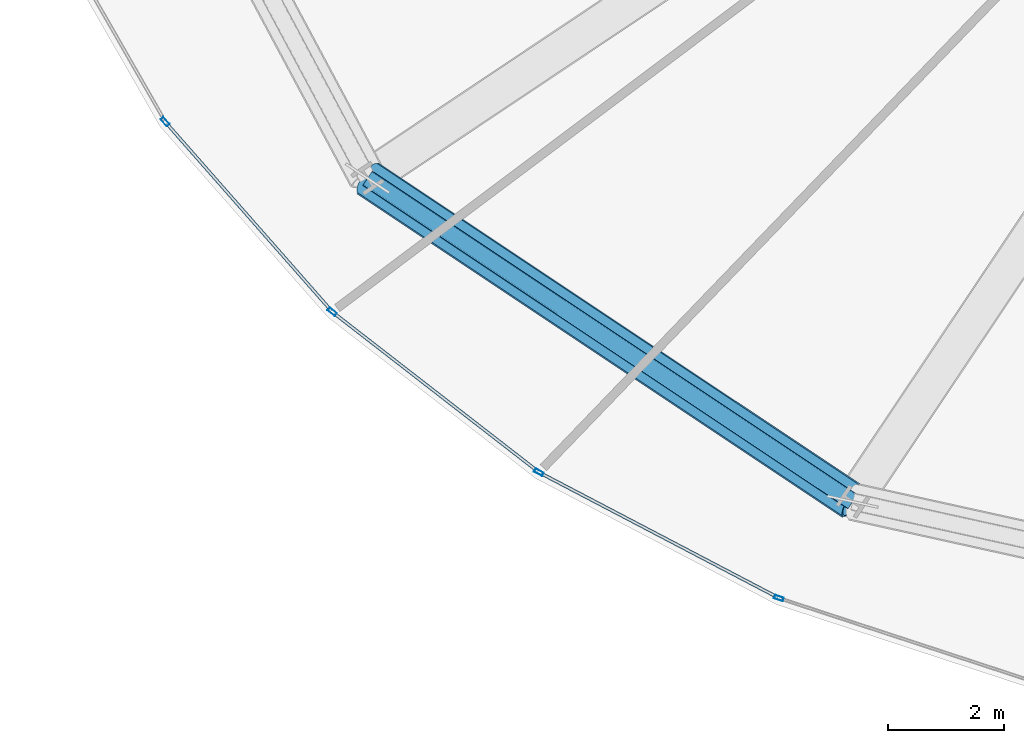
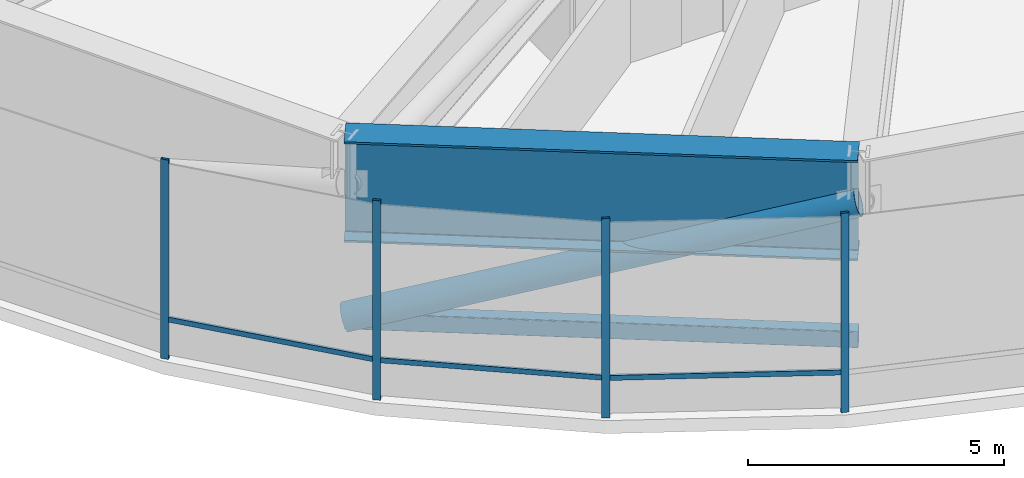
# One storey, part 2 of 33: 9 members, 1 beam, 1 element without a shape of its own.
"""IFC4 building model written with IfcOpenShell, lengths in metres."""

from ifc_helpers import new_model, si_unit, direction, frame, origin, origin_2d, place, context, subcontext, project, spatial, hollow_rectangle, hollow_circle, i_section, extrude, source, transform, mapped, material, layer, layer_set, material_profile, profile_set, type_object, element, aggregate, save


model = new_model("IFC4")

# Units and contexts
model_context = context("Model", 3, precision=1e-05, world=origin(), true_north=direction((0.0, 1.0)))
body_context = subcontext(model_context, "Body", "Model", "MODEL_VIEW")
ifc_project = project(units=[si_unit("LENGTHUNIT", "METRE"), si_unit("AREAUNIT", "SQUARE_METRE"), si_unit("VOLUMEUNIT", "CUBIC_METRE"), si_unit("PLANEANGLEUNIT", "RADIAN"), si_unit("MASSUNIT", "GRAM", prefix="KILO"), si_unit("THERMODYNAMICTEMPERATUREUNIT", "KELVIN")], contexts=[model_context])

# Site, building, storey
site_placement = place(None, origin())
site = spatial("IfcSite", under=ifc_project, at=site_placement, CompositionType="ELEMENT")
building_placement = place(site_placement, origin())
building = spatial("IfcBuilding", under=site, at=building_placement, Name="Kethvar Cultural Tower", CompositionType="ELEMENT")
storey_placement = place(building_placement, frame((0.0, 0.0, 80.39990234375)))
storey = spatial("IfcBuildingStorey", under=building, at=storey_placement, Name="L19", CompositionType="ELEMENT", Elevation=80.39990234375)

# Beam
ifc_material_1 = material(Name="Steel S460M", Category="steel")
ifc_material_profile_1 = material_profile(ifc_material_1, i_section(OverallWidth=0.64990234375, OverallDepth=2.39990234375, WebThickness=0.030029296875, FlangeThickness=0.048095703125, FilletRadius=0.02197265625, at=origin_2d()), Name="Steel S460M — PG2400x650x48x30")
ifc_profile_set_1 = profile_set([ifc_material_profile_1], Name="Steel S460M — PG2400x650x48x30")
beam_type = type_object("IfcBeamType", Name="BM-TR2400", PredefinedType="BEAM", material=ifc_profile_set_1)
shared_shape_1 = source(origin(), body_context, "Body", "SweptSolid", [
    extrude(i_section(OverallWidth=0.64990234375, OverallDepth=2.39990234375, WebThickness=0.030029296875, FlangeThickness=0.048095703125, FilletRadius=0.02197265625, at=origin_2d()), origin(), (0.0, 0.0, 1.0), 10.06787109375),
])
beam_placement = place(storey_placement, frame((24.9248046875, 13.183349609375, 3.55810546875), z_axis=(0.832065216665, -0.554677812083, 0.0), x_axis=(0.554677812083, 0.832065216665, 0.0)))
element("IfcBeam", 1, at=beam_placement, inside=storey, type_object=beam_type, Name="L19 Ring Belt Girder BG-10", PredefinedType="BEAM", context=body_context, shape_type="MappedRepresentation", body=[
    mapped(shared_shape_1, transform((0.0, 0.0, 0.0), scale=1.0)),
])

# Members
ifc_material_profile_2 = material_profile(ifc_material_1, hollow_rectangle(XDim=0.300048828125, YDim=0.39990234375, WallThickness=0.01611328125, InnerFilletRadius=0.01611328125, OuterFilletRadius=0.031982421875, at=origin_2d()), Name="Steel S460M — RHS400x300x16")
ifc_profile_set_2 = profile_set([ifc_material_profile_2], Name="Steel S460M — RHS400x300x16")
member_type_1 = type_object("IfcMemberType", Name="MB-CHD-400", PredefinedType="CHORD", material=ifc_profile_set_2)
shared_shape_2 = source(origin(), body_context, "Body", "SweptSolid", [
    extrude(hollow_rectangle(XDim=0.300048828125, YDim=0.39990234375, WallThickness=0.01611328125, InnerFilletRadius=0.01611328125, OuterFilletRadius=0.031982421875, at=origin_2d()), origin(), (0.0, 0.0, 1.0), 10.06787109375),
])
member_1_placement = place(storey_placement, frame((24.9248046875, 13.183349609375, 0.35009765625), z_axis=(0.832065216665, -0.554677812083, 0.0), x_axis=(0.554677812083, 0.832065216665, 0.0)))
element("IfcMember", 2, at=member_1_placement, inside=storey, type_object=member_type_1, Name="L19 Ring Belt Bottom Chord BC-10", PredefinedType="CHORD", context=body_context, shape_type="MappedRepresentation", body=[
    mapped(shared_shape_2, transform((0.0, 0.0, 0.0), scale=1.0)),
])
ifc_material_profile_3 = material_profile(ifc_material_1, hollow_circle(Radius=0.304931640625, WallThickness=0.02490234375, at=origin_2d()), Name="Steel S460M — CHS610x25")
ifc_profile_set_3 = profile_set([ifc_material_profile_3], Name="Steel S460M — CHS610x25")
member_type_2 = type_object("IfcMemberType", Name="MB-OUT-610", PredefinedType="BRACE", material=ifc_profile_set_3)
shared_shape_3 = source(origin(), body_context, "Body", "SweptSolid", [
    extrude(hollow_circle(Radius=0.304931640625, WallThickness=0.02490234375, at=origin_2d()), origin(), (0.0, 0.0, 1.0), 10.566650390625),
])
member_2_placement = place(storey_placement, frame((24.9248046875, 13.183349609375, 0.35009765625), z_axis=(0.792792426905, -0.528497478304, 0.303596085727), x_axis=(0.554677812083, 0.832065216665, 0.0)))
element("IfcMember", 3, at=member_2_placement, inside=storey, type_object=member_type_2, Name="L19 Ring Belt Diagonal BD-10", PredefinedType="BRACE", context=body_context, shape_type="MappedRepresentation", body=[
    mapped(shared_shape_3, transform((0.0, 0.0, 0.0), scale=1.0)),
])

# Curtain wall, members
ifc_material_2 = material(Name="Aluminium 6063-T6", Category="aluminium")
ifc_layer = layer(ifc_material_2, 0.179931640625, Name="Aluminium 6063-T6", Category="aluminium")
ifc_layer_set = layer_set([ifc_layer], Name="Aluminium 6063-T6 (180 mm)")
curtain_wall_type = type_object("IfcCurtainWallType", Name="CW-SYS-02-Z1", PredefinedType="NOTDEFINED", material=ifc_layer_set)
curtain_wall_placement = place(storey_placement, origin())
curtain_wall = element("IfcCurtainWall", 4, at=curtain_wall_placement, inside=storey, type_object=curtain_wall_type, Name="L19 Curtain Wall Run 04", PredefinedType="NOTDEFINED")
ifc_material_profile_4 = material_profile(ifc_material_2, hollow_rectangle(XDim=0.054931640625, YDim=0.1201171875, WallThickness=0.00390625, at=origin_2d()), Name="Aluminium 6063-T6 — RHS120x55x4")
ifc_profile_set_4 = profile_set([ifc_material_profile_4], Name="Aluminium 6063-T6 — RHS120x55x4")
member_type_3 = type_object("IfcMemberType", Name="CW-SYS-02-Z1-TRN", PredefinedType="USERDEFINED", material=ifc_profile_set_4)
shared_shape_4 = source(origin(), body_context, "Body", "SweptSolid", [
    extrude(hollow_rectangle(XDim=0.054931640625, YDim=0.1201171875, WallThickness=0.00390625, at=origin_2d()), origin(), (0.0, 0.0, 1.0), 4.446533203125),
])
member_3_placement = place(storey_placement, frame((24.350341796875, 10.848388671875, 0.9501953125), z_axis=(0.79019701031, -0.612852906412, 0.0), x_axis=(0.612852906412, 0.79019701031, 0.0)))
member_3 = element("IfcMember", 5, at=member_3_placement, type_object=member_type_3, Name="CW-L19-R04 Transom 4", ObjectType="TRANSOM", PredefinedType="USERDEFINED", context=body_context, shape_type="MappedRepresentation", body=[
    mapped(shared_shape_4, transform((0.0, 0.0, 0.0), scale=1.0)),
])
ifc_material_profile_5 = material_profile(ifc_material_2, hollow_rectangle(XDim=0.06494140625, YDim=0.159912109375, WallThickness=0.0048828125, at=origin_2d()), Name="Aluminium 6063-T6 — RHS160x65x5")
ifc_profile_set_5 = profile_set([ifc_material_profile_5], Name="Aluminium 6063-T6 — RHS160x65x5")
member_type_4 = type_object("IfcMemberType", Name="CW-SYS-02-Z1-MUL", PredefinedType="MULLION", material=ifc_profile_set_5)
shared_shape_5 = source(origin(), body_context, "Body", "SweptSolid", [
    extrude(hollow_rectangle(XDim=0.06494140625, YDim=0.159912109375, WallThickness=0.0048828125, at=origin_2d()), origin(), (0.0, 0.0, 1.0), 4.760009765625),
])
member_4_placement = place(storey_placement, frame((21.427734375, 14.161376953125, 0.0), z_axis=(0.0, 0.0, 1.0), x_axis=(0.750883875245, 0.660434255545, 0.0)))
member_4 = element("IfcMember", 6, at=member_4_placement, type_object=member_type_4, Name="CW-L19-R04 Mullion 3", PredefinedType="MULLION", context=body_context, shape_type="MappedRepresentation", body=[
    mapped(shared_shape_5, transform((0.0, 0.0, 0.0), scale=1.0)),
])
member_5_placement = place(storey_placement, frame((24.313232421875, 10.877197265625, 0.0), z_axis=(0.0, 0.0, 1.0), x_axis=(0.612879471666, 0.790176406386, 0.0)))
member_5 = element("IfcMember", 7, at=member_5_placement, type_object=member_type_4, Name="CW-L19-R04 Mullion 4", PredefinedType="MULLION", context=body_context, shape_type="MappedRepresentation", body=[
    mapped(shared_shape_5, transform((0.0, 0.0, 0.0), scale=1.0)),
])
member_6_placement = place(storey_placement, frame((27.883056640625, 8.10595703125, 0.0), z_axis=(0.0, 0.0, 1.0), x_axis=(0.46399191482, 0.885839434086, 0.0)))
member_6 = element("IfcMember", 8, at=member_6_placement, type_object=member_type_4, Name="CW-L19-R04 Mullion 5", PredefinedType="MULLION", context=body_context, shape_type="MappedRepresentation", body=[
    mapped(shared_shape_5, transform((0.0, 0.0, 0.0), scale=1.0)),
])
member_7_placement = place(storey_placement, frame((32.02880859375, 5.9326171875, 0.0), z_axis=(0.0, 0.0, 1.0), x_axis=(0.311605300321, 0.950211627382, 0.0)))
member_7 = element("IfcMember", 9, at=member_7_placement, type_object=member_type_4, Name="CW-L19-R04 Mullion 6", PredefinedType="MULLION", context=body_context, shape_type="MappedRepresentation", body=[
    mapped(shared_shape_5, transform((0.0, 0.0, 0.0), scale=1.0)),
])
shared_shape_6 = source(origin(), body_context, "Body", "SweptSolid", [
    extrude(hollow_rectangle(XDim=0.054931640625, YDim=0.1201171875, WallThickness=0.00390625, at=origin_2d()), origin(), (0.0, 0.0, 1.0), 4.301025390625),
])
member_8_placement = place(storey_placement, frame((21.45849609375, 14.126220703125, 0.9501953125), z_axis=(0.660447449673, -0.750872270243, 0.0), x_axis=(0.750872270243, 0.660447449673, 0.0)))
member_8 = element("IfcMember", 10, at=member_8_placement, type_object=member_type_3, Name="CW-L19-R04 Transom 3", ObjectType="TRANSOM", PredefinedType="USERDEFINED", context=body_context, shape_type="MappedRepresentation", body=[
    mapped(shared_shape_6, transform((0.0, 0.0, 0.0), scale=1.0)),
])
shared_shape_7 = source(origin(), body_context, "Body", "SweptSolid", [
    extrude(hollow_rectangle(XDim=0.054931640625, YDim=0.1201171875, WallThickness=0.00390625, at=origin_2d()), origin(), (0.0, 0.0, 1.0), 4.60693359375),
])
member_9_placement = place(storey_placement, frame((27.924560546875, 8.084228515625, 0.9501953125), z_axis=(0.88583153528, -0.464006994671, 0.0), x_axis=(0.464006994671, 0.88583153528, 0.0)))
member_9 = element("IfcMember", 11, at=member_9_placement, type_object=member_type_3, Name="CW-L19-R04 Transom 5", ObjectType="TRANSOM", PredefinedType="USERDEFINED", context=body_context, shape_type="MappedRepresentation", body=[
    mapped(shared_shape_7, transform((0.0, 0.0, 0.0), scale=1.0)),
])
aggregate(curtain_wall, [member_4, member_5, member_6, member_7, member_8, member_3, member_9])

save(model, "model.ifc")
